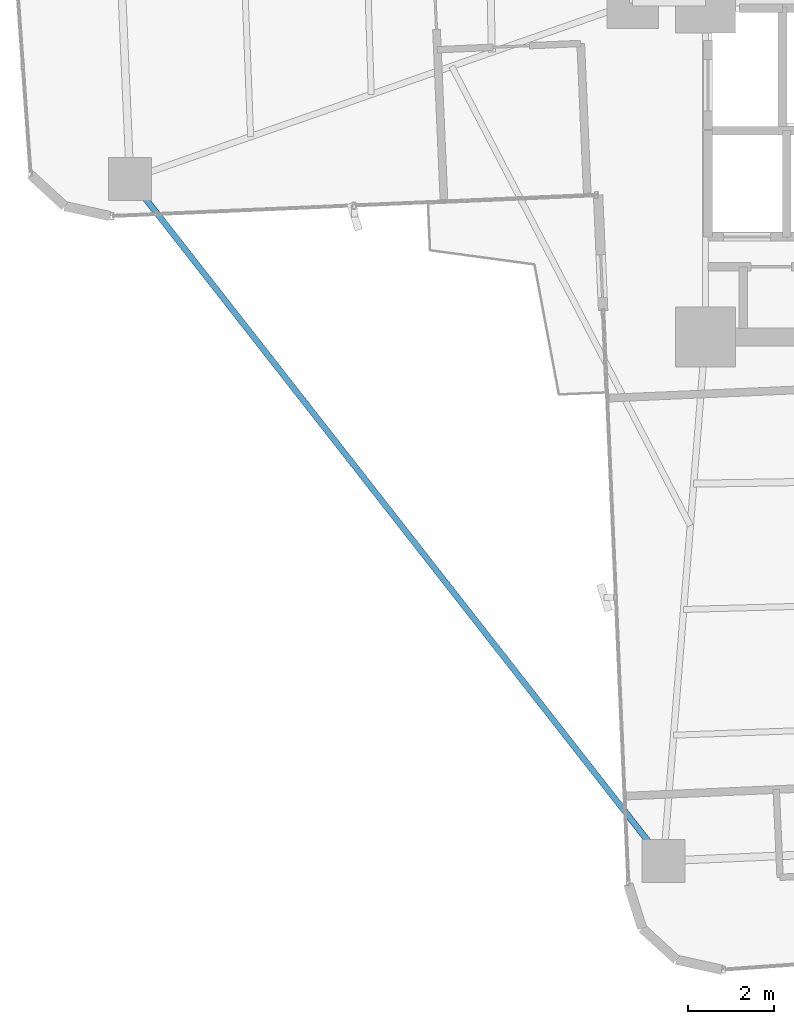
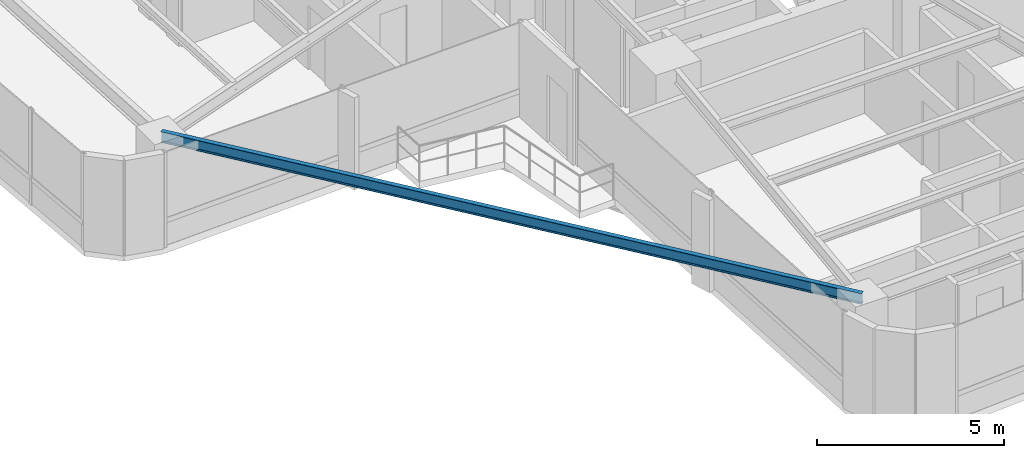
# One storey, part 3 of 26: 1 beam.
"""IFC4 building model written with IfcOpenShell, lengths in metres."""

import ifcopenshell
import ifcopenshell.guid

model = None  # the IFC model being written
_history = None  # IfcOwnerHistory: only IFC2X3 demands one
_inside = {}  # id of a spatial element -> (the spatial element, [elements in it])
_under = {}  # id of a project, library or spatial element -> (it, [spatial elements below it])
_declared = {}  # id of a project -> (the project, [libraries it declares])
_typed = {}  # id of a type object -> (the type object, [elements of that type])
_made_of = {}  # id of a material, layer set ... -> (it, [elements and type objects made of it])


def new_model(schema):
    """Start an empty IFC model of exactly this schema.

    Asked for "IFC4X3", IfcOpenShell would pick the latest addendum, in which some entities
    have other attributes; the version numbers below select the first issue.
    IFC2X3 requires an IfcOwnerHistory on every rooted entity: one is made here for all.
    """
    global model, _history
    if schema == "IFC4X3":
        model = ifcopenshell.file(schema_version=(4, 3, 0, 0))
    else:
        model = ifcopenshell.file(schema=schema)
    _inside.clear()
    _under.clear()
    _declared.clear()
    _typed.clear()
    _made_of.clear()
    _history = None
    if model.schema == "IFC2X3":
        org = make("IfcOrganization", Name="unknown")
        user = make(
            "IfcPersonAndOrganization",
            ThePerson=make("IfcPerson", FamilyName="unknown"),
            TheOrganization=org,
        )
        app = make(
            "IfcApplication",
            ApplicationDeveloper=org,
            Version="unknown",
            ApplicationFullName="unknown",
            ApplicationIdentifier="unknown",
        )
        _history = make(
            "IfcOwnerHistory",
            OwningUser=user,
            OwningApplication=app,
            ChangeAction="ADDED",
            CreationDate=0,
        )
    return model


def make(cls, **values):
    """One entity of the class cls with the attributes given. An attribute that is None is left unset."""
    return model.create_entity(
        cls, **{name: value for name, value in values.items() if value is not None}
    )


def rooted(cls, **values):
    """An entity with a GlobalId (a new one), such as an element, a storey or a relation."""
    return make(cls, GlobalId=ifcopenshell.guid.new(), OwnerHistory=_history, **values)


def si_unit(unit_type, name, prefix=None):
    """IfcSIUnit, for example si_unit("LENGTHUNIT", "METRE", prefix="MILLI")."""
    return make("IfcSIUnit", UnitType=unit_type, Prefix=prefix, Name=name)


def assignment(units):
    """IfcUnitAssignment: the units of a project."""
    return None if units is None else make("IfcUnitAssignment", Units=units)


def point(xyz):
    """IfcCartesianPoint."""
    return None if xyz is None else make("IfcCartesianPoint", Coordinates=xyz)


def direction(xyz):
    """IfcDirection."""
    return None if xyz is None else make("IfcDirection", DirectionRatios=xyz)


def frame(location, z_axis=None, x_axis=None):
    """IfcAxis2Placement3D, a coordinate frame: its origin and axes. An axis left out is left unset."""
    return make(
        "IfcAxis2Placement3D",
        Location=point(location),
        Axis=direction(z_axis),
        RefDirection=direction(x_axis),
    )


def frame_2d(location, x_axis=None):
    """IfcAxis2Placement2D, a coordinate frame in the plane: its origin and x axis."""
    return make(
        "IfcAxis2Placement2D", Location=point(location), RefDirection=direction(x_axis)
    )


def origin():
    """The frame at (0, 0, 0) with its axes left unset."""
    return frame((0.0, 0.0, 0.0))


def origin_2d():
    """The frame at (0, 0) in the plane with its x axis left unset."""
    return frame_2d((0.0, 0.0))


def place(relative_to, where):
    """IfcLocalPlacement: puts the frame where relative to a parent placement (None: the world)."""
    return make(
        "IfcLocalPlacement", PlacementRelTo=relative_to, RelativePlacement=where
    )


def context(
    kind, dimensions, precision=None, world=None, true_north=None, identifier=None
):
    """IfcGeometricRepresentationContext, for example the 3D "Model" context."""
    return make(
        "IfcGeometricRepresentationContext",
        ContextIdentifier=identifier,
        ContextType=kind,
        CoordinateSpaceDimension=dimensions,
        Precision=precision,
        WorldCoordinateSystem=world,
        TrueNorth=true_north,
    )


def subcontext(parent, identifier, kind, view, scale=None):
    """IfcGeometricRepresentationSubContext, for example "Body" below "Model"."""
    return make(
        "IfcGeometricRepresentationSubContext",
        ContextIdentifier=identifier,
        ContextType=kind,
        ParentContext=parent,
        TargetScale=scale,
        TargetView=view,
    )


def project(units=None, contexts=None):
    """IfcProject with its units and contexts."""
    return rooted(
        "IfcProject",
        Name="project",
        RepresentationContexts=contexts,
        UnitsInContext=assignment(units),
    )


def spatial(cls, under=None, at=None, **own):
    """A site, building, storey or space (cls), placed at a placement, below another one or the project."""
    s = rooted(cls, ObjectPlacement=at, **own)
    if under is not None:
        _under.setdefault(under.id(), (under, []))[1].append(s)
    return s


def profile(cls, at=None, kind="AREA", **sizes):
    """A parametric profile (cls). Its sizes go by their IFC names, for example OverallWidth=200.0."""
    return make(cls, ProfileType=kind, Position=at, **sizes)


def i_section(**sizes):
    """IfcIShapeProfileDef."""
    return profile("IfcIShapeProfileDef", **sizes)


def extrude(swept, where, along, depth):
    """IfcExtrudedAreaSolid: the profile swept, set in the frame where, extruded along a direction by depth."""
    return make(
        "IfcExtrudedAreaSolid",
        SweptArea=swept,
        Position=where,
        ExtrudedDirection=direction(along),
        Depth=depth,
    )


def shape(context_of_items, identifier, shape_type, items):
    """IfcShapeRepresentation: the items that make up one representation, for example the "Body"."""
    return make(
        "IfcShapeRepresentation",
        ContextOfItems=context_of_items,
        RepresentationIdentifier=identifier,
        RepresentationType=shape_type,
        Items=items,
    )


def source(mapping_origin, context_of_items, identifier, shape_type, items):
    """IfcRepresentationMap: a shape defined once, which mapped items show again and again."""
    return make(
        "IfcRepresentationMap",
        MappingOrigin=mapping_origin,
        MappedRepresentation=shape(context_of_items, identifier, shape_type, items),
    )


def transform(
    local_origin,
    x_axis=None,
    y_axis=None,
    z_axis=None,
    scale=None,
    scale2=None,
    scale3=None,
    uniform=True,
):
    """IfcCartesianTransformationOperator3D, or its non-uniform kind. x_axis, y_axis, z_axis: its Axis1, 2, 3."""
    if uniform:
        return make(
            "IfcCartesianTransformationOperator3D",
            Axis1=direction(x_axis),
            Axis2=direction(y_axis),
            LocalOrigin=point(local_origin),
            Scale=scale,
            Axis3=direction(z_axis),
        )
    return make(
        "IfcCartesianTransformationOperator3DnonUniform",
        Axis1=direction(x_axis),
        Axis2=direction(y_axis),
        LocalOrigin=point(local_origin),
        Scale=scale,
        Axis3=direction(z_axis),
        Scale2=scale2,
        Scale3=scale3,
    )


def mapped(mapping_source, mapping_target):
    """IfcMappedItem: shows the shape of a source again, moved by a transform."""
    return make(
        "IfcMappedItem", MappingSource=mapping_source, MappingTarget=mapping_target
    )


def material(Name=None, Category=None):
    """IfcMaterial."""
    return make("IfcMaterial", Name=Name, Category=Category)


def material_profile(
    of_material, cross_section, Name=None, Category=None, Priority=None
):
    """IfcMaterialProfile: a cross section and its material."""
    return make(
        "IfcMaterialProfile",
        Name=Name,
        Material=of_material,
        Profile=cross_section,
        Priority=Priority,
        Category=Category,
    )


def profile_set(profiles, Name=None, composite=None):
    """IfcMaterialProfileSet."""
    return make(
        "IfcMaterialProfileSet",
        Name=Name,
        MaterialProfiles=profiles,
        CompositeProfile=composite,
    )


def made_of(thing, what):
    """Note that an element or type object is made of a material, layer set ...; save() writes the relation."""
    if what is not None:
        _made_of.setdefault(what.id(), (what, []))[1].append(thing)
    return thing


def type_object(cls, material=None, **own):
    """A type object (cls), such as IfcWallType, which elements share."""
    return made_of(rooted(cls, **own), material)


def element(
    cls,
    number,
    at=None,
    inside=None,
    cuts=None,
    type_object=None,
    material=None,
    context=None,
    identifier="Body",
    shape_type=None,
    held_by="IfcProductDefinitionShape",
    body=None,
    shapes=None,
    **own,
):
    """One element of the class cls, such as IfcWall. Its Tag is "e" and its number.

    at: its placement. inside: the storey or other place that contains it. cuts: it is an
    opening in that element (IfcRelVoidsElement). A single representation is given by context,
    identifier, shape_type and body (its items); several are given by shapes. held_by: the class
    of the entity that holds the representations. save() writes the other relations.
    """
    e = rooted(cls, Tag="e%d" % number, ObjectPlacement=at, **own)
    if body is not None:
        shapes = [shape(context, identifier, shape_type, body)]
    if shapes is not None:
        e.Representation = make(held_by, Representations=shapes)
    if inside is not None:
        _inside.setdefault(inside.id(), (inside, []))[1].append(e)
    if cuts is not None:
        rooted(
            "IfcRelVoidsElement", RelatingBuildingElement=cuts, RelatedOpeningElement=e
        )
    if type_object is not None:
        _typed.setdefault(type_object.id(), (type_object, []))[1].append(e)
    return made_of(e, material)


def aggregate(whole, parts):
    """IfcRelAggregates: a whole, such as a stair, and the parts it consists of."""
    return rooted("IfcRelAggregates", RelatingObject=whole, RelatedObjects=parts)


def save(model, path):
    """Write the relations noted so far, then the file.

    IfcRelAggregates (storeys below a building ...), IfcRelContainedInSpatialStructure (elements
    in a storey), IfcRelDefinesByType, IfcRelAssociatesMaterial and IfcRelDeclares: one each for
    every whole, place, type object, material and project.
    """
    for whole, parts in _under.values():
        aggregate(whole, parts)
    for where, things in _inside.values():
        rooted(
            "IfcRelContainedInSpatialStructure",
            RelatedElements=things,
            RelatingStructure=where,
        )
    for kind, things in _typed.values():
        rooted("IfcRelDefinesByType", RelatedObjects=things, RelatingType=kind)
    for what, things in _made_of.values():
        rooted("IfcRelAssociatesMaterial", RelatedObjects=things, RelatingMaterial=what)
    for by, libraries in _declared.values():
        rooted("IfcRelDeclares", RelatingContext=by, RelatedDefinitions=libraries)
    model.write(path)


model = new_model("IFC4")

# Units and contexts
model_context = context("Model", 3, precision=1e-05, world=origin(), true_north=direction((0.0, 1.0)))
body_context = subcontext(model_context, "Body", "Model", "MODEL_VIEW")
ifc_project = project(units=[si_unit("LENGTHUNIT", "METRE"), si_unit("AREAUNIT", "SQUARE_METRE"), si_unit("VOLUMEUNIT", "CUBIC_METRE"), si_unit("PLANEANGLEUNIT", "RADIAN"), si_unit("MASSUNIT", "GRAM", prefix="KILO")], contexts=[model_context])

# Site, building, storey
site_placement = place(None, origin())
site = spatial("IfcSite", under=ifc_project, at=site_placement, CompositionType="ELEMENT")
building_placement = place(site_placement, origin())
building = spatial("IfcBuilding", under=site, at=building_placement, Name="Sahyath Konkavel Grand Hotel", CompositionType="ELEMENT")
storey_placement = place(building_placement, frame((0.0, 0.0, 128.199951171875)))
storey = spatial("IfcBuildingStorey", under=building, at=storey_placement, Name="L35", CompositionType="ELEMENT", Elevation=128.199951171875)

# Beam
ifc_material = material(Name="Steel E350", Category="steel")
ifc_material_profile = material_profile(ifc_material, i_section(OverallWidth=0.139892578125, OverallDepth=0.35009765625, WebThickness=0.008056640625, FlangeThickness=0.01416015625, FilletRadius=0.013916015625, at=origin_2d()), Name="ISMB 350")
ifc_profile_set = profile_set([ifc_material_profile], Name="Steel E350")
beam_type = type_object("IfcBeamType", Name="BM-ISMB350", PredefinedType="BEAM", material=ifc_profile_set)
shared_shape = source(origin(), body_context, "Body", "SweptSolid", [
    extrude(i_section(OverallWidth=0.139892578125, OverallDepth=0.35009765625, WebThickness=0.008056640625, FlangeThickness=0.01416015625, FilletRadius=0.013916015625, at=origin_2d()), origin(), (0.0, 0.0, 1.0), 20.215576171875),
])
beam_placement = place(storey_placement, frame((-17.232421875, -6.5078125, 2.93505859375), z_axis=(0.616176369687, -0.787608203004, 0.0), x_axis=(0.787608203004, 0.616176369687, 0.0)))
element("IfcBeam", 1, at=beam_placement, inside=storey, type_object=beam_type, Name="L35 Re-Entrant Tie Beam SW", PredefinedType="BEAM", context=body_context, shape_type="MappedRepresentation", body=[
    mapped(shared_shape, transform((0.0, 0.0, 0.0), scale=1.0)),
])

save(model, "model.ifc")
